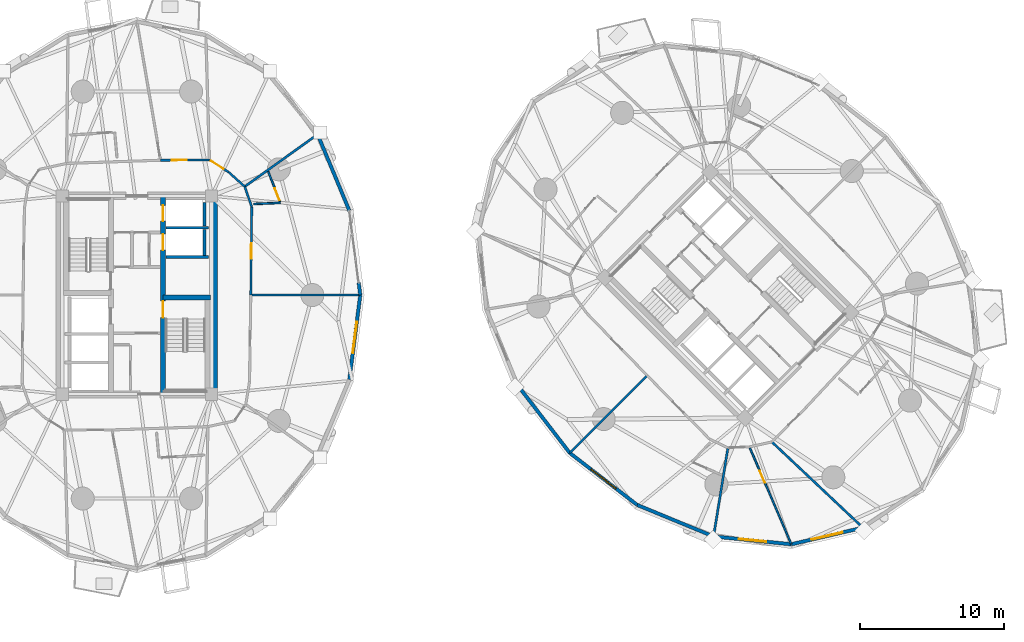
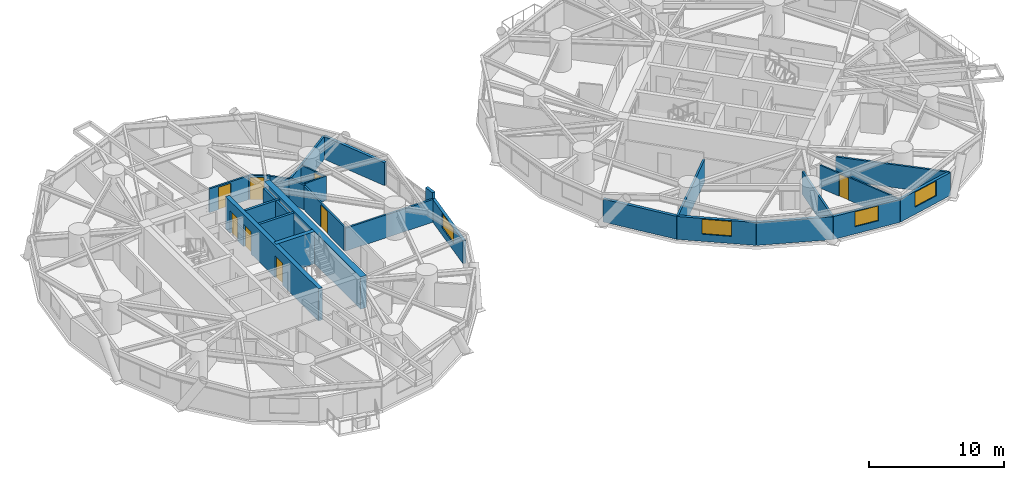
# One storey, part 12 of 19: 28 walls, 8 doors, 4 windows, 12 openings.
"""IFC4 building model written with IfcOpenShell, lengths in metres."""

from ifc_helpers import new_model, si_unit, direction, frame, frame_2d, origin, place, context, subcontext, project, spatial, rectangle, extrude, source, transform, mapped, material, layer, layer_set, type_object, element, fill, save


model = new_model("IFC4")

# Units and contexts
model_context = context("Model", 3, precision=1e-05, world=origin(), true_north=direction((0.0, 1.0)))
body_context = subcontext(model_context, "Body", "Model", "MODEL_VIEW")
ifc_project = project(units=[si_unit("LENGTHUNIT", "METRE"), si_unit("AREAUNIT", "SQUARE_METRE"), si_unit("VOLUMEUNIT", "CUBIC_METRE"), si_unit("PLANEANGLEUNIT", "RADIAN"), si_unit("MASSUNIT", "GRAM", prefix="KILO")], contexts=[model_context])

# Site, building, storey
site_placement = place(None, origin())
site = spatial("IfcSite", under=ifc_project, at=site_placement, CompositionType="ELEMENT")
building_placement = place(site_placement, origin())
building = spatial("IfcBuilding", under=site, at=building_placement, Name="Cununo Teusaquillo Station Towers", CompositionType="ELEMENT")
storey_placement = place(building_placement, frame((0.0, 0.0, 30.72998046875)))
storey = spatial("IfcBuildingStorey", under=building, at=storey_placement, Name="L08", CompositionType="ELEMENT", Elevation=30.72998046875)

# Walls
ifc_material_1 = material(Name="Concrete C50/60", Category="concrete")
ifc_layer_1 = layer(ifc_material_1, 0.199951171875)
ifc_layer_set_1 = layer_set([ifc_layer_1], Name="Concrete C50/60")
wall_type_1 = type_object("IfcWallType", Name="WL-CORE-200", PredefinedType="SHEAR", material=ifc_layer_set_1)
for number, where, z_axis, x_axis, name in (
    (1, (18.510009765625, 27.1298828125, 0.0), (0.0, 0.0, 1.0), (1.0, 0.0, 0.0), "L08 Tower A Low-Rise Lift Hoistway South Shear Wall"),
    (2, (18.510009765625, 29.175048828125, 0.0), (0.0, 0.0, 1.0), (1.0, 0.0, 0.0), "L08 Tower A Low-Rise Lift Hoistway Divider Shear Wall"),
):
    element("IfcWall", number, at=place(storey_placement, frame(where, z_axis=z_axis, x_axis=x_axis)), inside=storey, type_object=wall_type_1, Name=name, PredefinedType="SHEAR", context=body_context, shape_type="SweptSolid", body=[
        extrude(rectangle(XDim=2.969970703125, YDim=0.199951171875, at=frame_2d((1.48486328125, 0.0))), origin(), (0.0, 0.0, 1.0), 2.909912109375),
    ])
wall_1_placement = place(storey_placement, frame((21.179931640625, 27.25, 0.0), z_axis=(0.0, 0.0, 1.0), x_axis=(0.0, 1.0, 0.0)))
element("IfcWall", 3, at=wall_1_placement, inside=storey, type_object=wall_type_1, Name="L08 Tower A Low-Rise Lift 1 Shaft Rear Shear Wall", PredefinedType="SHEAR", context=body_context, shape_type="SweptSolid", body=[
    extrude(rectangle(XDim=1.804931640625, YDim=0.199951171875, at=frame_2d((0.90234375, 0.0))), origin(), (0.0, 0.0, 1.0), 2.909912109375),
])
wall_2_placement = place(storey_placement, frame((21.179931640625, 29.294921875, 0.0), z_axis=(0.0, 0.0, 1.0), x_axis=(0.0, 1.0, 0.0)))
element("IfcWall", 4, at=wall_2_placement, inside=storey, type_object=wall_type_1, Name="L08 Tower A Low-Rise Lift 2 Shaft Rear Shear Wall", PredefinedType="SHEAR", context=body_context, shape_type="SweptSolid", body=[
    extrude(rectangle(XDim=1.635009765625, YDim=0.199951171875, at=frame_2d((0.8173828125, 0.0))), origin(), (0.0, 0.0, 1.0), 2.909912109375),
])

# Wall, openings, doors
ifc_material_2 = material(Name="Concrete C50/60", Category="concrete")
ifc_layer_2 = layer(ifc_material_2, 0.35009765625)
ifc_layer_set_2 = layer_set([ifc_layer_2], Name="Concrete C50/60")
wall_type_2 = type_object("IfcWallType", Name="WL-CORE-350", PredefinedType="SHEAR", material=ifc_layer_set_2)
wall_3_placement = place(storey_placement, frame((18.31494140625, 17.60009765625, 0.0), z_axis=(0.0, 0.0, 1.0), x_axis=(0.0, 1.0, 0.0)))
wall_3 = element("IfcWall", 5, at=wall_3_placement, inside=storey, type_object=wall_type_2, Name="L08 Tower A Core Shear Wall IE", PredefinedType="SHEAR", context=body_context, shape_type="SweptSolid", body=[
    extrude(rectangle(XDim=13.7998046875, YDim=0.35009765625, at=frame_2d((6.89990234375, 0.0))), origin(), (0.0, 0.0, 1.0), 2.909912109375),
])
shared_shape_1 = source(origin(), body_context, "Body", "SweptSolid", [
    extrude(rectangle(XDim=1.10009765625, YDim=2.014892578125, at=frame_2d((0.550048828125, 1.00732421875))), frame((0.0, 0.18505859375, 0.0), z_axis=(0.0, -1.0, 0.0), x_axis=(1.0, 0.0, 0.0)), (0.0, 0.0, 1.0), 0.3701171875),
])
opening_1_placement = place(wall_3_placement, frame((10.02490234375, 0.0, 0.0)))
opening_1 = element("IfcOpeningElement", 6, at=opening_1_placement, cuts=wall_3, Name="Opening LD-01", PredefinedType="OPENING", context=body_context, shape_type="MappedRepresentation", body=[
    mapped(shared_shape_1, transform((0.0, 0.0, 0.0), x_axis=(1.0, 0.0, 0.0), y_axis=(0.0, 1.0, 0.0), z_axis=(0.0, 0.0, 1.0), scale=1.0)),
])
opening_2_placement = place(wall_3_placement, frame((12.02490234375, 0.0, 0.0)))
opening_2 = element("IfcOpeningElement", 7, at=opening_2_placement, cuts=wall_3, Name="Opening LD-01", PredefinedType="OPENING", context=body_context, shape_type="MappedRepresentation", body=[
    mapped(shared_shape_1, transform((0.0, 0.0, 0.0), x_axis=(1.0, 0.0, 0.0), y_axis=(0.0, 1.0, 0.0), z_axis=(0.0, 0.0, 1.0), scale=1.0)),
])
shared_shape_2 = source(origin(), body_context, "Body", "SweptSolid", [
    extrude(rectangle(XDim=1.14990234375, YDim=2.02001953125, at=frame_2d((0.574951171875, 1.010009765625))), frame((0.0, 0.18505859375, 0.0), z_axis=(0.0, -1.0, 0.0), x_axis=(1.0, 0.0, 0.0)), (0.0, 0.0, 1.0), 0.3701171875),
])
opening_3_placement = place(wall_3_placement, frame((5.330078125, 0.0, 0.0)))
opening_3 = element("IfcOpeningElement", 8, at=opening_3_placement, cuts=wall_3, Name="Opening D-ST1", PredefinedType="OPENING", context=body_context, shape_type="MappedRepresentation", body=[
    mapped(shared_shape_2, transform((0.0, 0.0, 0.0), x_axis=(1.0, 0.0, 0.0), y_axis=(0.0, 1.0, 0.0), z_axis=(0.0, 0.0, 1.0), scale=1.0)),
])
ifc_material_3 = material(Name="Galvanised fire-rated hollow steel door assembly", Category="steel")
door_type_1 = type_object("IfcDoorType", Name="DR-LIFT-1100", OperationType="SLIDING_TO_LEFT", PredefinedType="DOOR", material=ifc_material_3)
shared_shape_3 = source(origin(), body_context, "Body", "SweptSolid", [
    extrude(rectangle(XDim=1.10009765625, YDim=2.014892578125, at=frame_2d((0.550048828125, 1.00732421875))), frame((0.0, 0.02490234375, 0.0), z_axis=(0.0, -1.0, 0.0), x_axis=(1.0, 0.0, 0.0)), (0.0, 0.0, 1.0), 0.050048828125),
])
door_1_placement = place(opening_1_placement, origin())
door_1 = element("IfcDoor", 9, at=door_1_placement, inside=storey, type_object=door_type_1, Name="L08 Lift PL-T1-L1 Sliding Landing Door", OperationType="SLIDING_TO_RIGHT", OverallHeight=2.014892578125, OverallWidth=1.10009765625, PredefinedType="DOOR", context=body_context, shape_type="MappedRepresentation", body=[
    mapped(shared_shape_3, transform((0.0, 0.0, 0.0), x_axis=(1.0, 0.0, 0.0), y_axis=(0.0, 1.0, 0.0), z_axis=(0.0, 0.0, 1.0), scale=1.0)),
])
fill(opening_1, door_1)
door_2_placement = place(opening_2_placement, origin())
door_2 = element("IfcDoor", 10, at=door_2_placement, inside=storey, type_object=door_type_1, Name="L08 Lift PL-T1-L2 Sliding Landing Door", OperationType="SLIDING_TO_LEFT", OverallHeight=2.014892578125, OverallWidth=1.10009765625, PredefinedType="DOOR", context=body_context, shape_type="MappedRepresentation", body=[
    mapped(shared_shape_3, transform((0.0, 0.0, 0.0), x_axis=(1.0, 0.0, 0.0), y_axis=(0.0, 1.0, 0.0), z_axis=(0.0, 0.0, 1.0), scale=1.0)),
])
fill(opening_2, door_2)
ifc_material_4 = material(Name="Galvanised fire-rated hollow steel door assembly", Category="steel")
door_type_2 = type_object("IfcDoorType", Name="DR-STAIR-1150", OperationType="NOTDEFINED", PredefinedType="DOOR", material=ifc_material_4)
shared_shape_4 = source(origin(), body_context, "Body", "SweptSolid", [
    extrude(rectangle(XDim=1.14990234375, YDim=2.02001953125, at=frame_2d((0.574951171875, 1.010009765625))), frame((0.0, 0.02490234375, 0.0), z_axis=(0.0, -1.0, 0.0), x_axis=(1.0, 0.0, 0.0)), (0.0, 0.0, 1.0), 0.050048828125),
])
door_3_placement = place(opening_3_placement, origin())
door_3 = element("IfcDoor", 11, at=door_3_placement, inside=storey, type_object=door_type_2, Name="L08 Tower A Exit Stair 2 Fire Door", OperationType="SINGLE_SWING_LEFT", OverallHeight=2.02001953125, OverallWidth=1.14990234375, PredefinedType="DOOR", context=body_context, shape_type="MappedRepresentation", body=[
    mapped(shared_shape_4, transform((0.0, 0.0, 0.0), x_axis=(1.0, 0.0, 0.0), y_axis=(0.0, 1.0, 0.0), z_axis=(0.0, 0.0, 1.0), scale=1.0)),
])
fill(opening_3, door_3)

# Walls
wall_4_placement = place(storey_placement, frame((18.31494140625, 24.344970703125, 0.0), z_axis=(0.0, 0.0, 1.0), x_axis=(1.0, 0.0, 0.0)))
element("IfcWall", 12, at=wall_4_placement, inside=storey, type_object=wall_type_2, Name="L08 Tower A Core Shear Wall ST2N", PredefinedType="SHEAR", context=body_context, shape_type="SweptSolid", body=[
    extrude(rectangle(XDim=3.28515625, YDim=0.35009765625, at=frame_2d((1.642578125, 0.0))), origin(), (0.0, 0.0, 1.0), 2.909912109375),
])
ifc_material_5 = material(Name="Concrete C60/75", Category="concrete")
ifc_layer_3 = layer(ifc_material_5, 0.5)
ifc_layer_set_3 = layer_set([ifc_layer_3], Name="Concrete C60/75")
wall_type_3 = type_object("IfcWallType", Name="WL-CORE-500", PredefinedType="SHEAR", material=ifc_layer_set_3)
wall_5_placement = place(storey_placement, frame((21.85009765625, 17.35009765625, 0.0), z_axis=(0.0, 0.0, 1.0), x_axis=(0.0, 1.0, 0.0)))
element("IfcWall", 13, at=wall_5_placement, inside=storey, type_object=wall_type_3, Name="L08 Tower A Core Shear Wall E", PredefinedType="SHEAR", context=body_context, shape_type="SweptSolid", body=[
    extrude(rectangle(XDim=14.2998046875, YDim=0.5, at=frame_2d((7.14990234375, 0.0))), origin(), (0.0, 0.0, 1.0), 2.909912109375),
])
ifc_material_6 = material(Name="Precast concrete C40/50", Category="concrete")
ifc_layer_4 = layer(ifc_material_6, 0.239990234375)
ifc_layer_set_4 = layer_set([ifc_layer_4], Name="Precast concrete C40/50")
wall_type_4 = type_object("IfcWallType", Name="WL-EXT-240", PredefinedType="SOLIDWALL", material=ifc_layer_set_4)
wall_6_placement = place(storey_placement, frame((31.88720703125, 25.36279296875, 0.0), z_axis=(0.0, 0.0, 1.0), x_axis=(0.128523364007, -0.991706481225, 0.0)))
element("IfcWall", 14, at=wall_6_placement, inside=storey, type_object=wall_type_4, Name="L08 Tower A Column Pier Cladding Wall C00-PB", PredefinedType="SOLIDWALL", context=body_context, shape_type="SweptSolid", body=[
    extrude(rectangle(XDim=0.8701171875, YDim=0.239990234375, at=frame_2d((0.43505859375, 0.0))), origin(), (0.0, 0.0, 1.0), 2.635009765625),
])
wall_7_placement = place(storey_placement, frame((29.0390625, 35.650390625, 0.0), z_axis=(0.0, 0.0, 1.0), x_axis=(0.38430970593, -0.923204229804, 0.0)))
element("IfcWall", 15, at=wall_7_placement, inside=storey, type_object=wall_type_4, Name="L08 Tower A Exterior Facade Wall C01", PredefinedType="SOLIDWALL", context=body_context, shape_type="SweptSolid", body=[
    extrude(rectangle(XDim=5.728271484375, YDim=0.239990234375, at=frame_2d((2.8642578125, 0.0))), origin(), (0.0, 0.0, 1.0), 2.072998046875),
])

# Wall, opening, window
wall_8_placement = place(storey_placement, frame((31.9990234375, 24.5, 0.0), z_axis=(0.0, 0.0, 1.0), x_axis=(-0.128329107357, -0.991731637191, 0.0)))
wall_8 = element("IfcWall", 16, at=wall_8_placement, inside=storey, type_object=wall_type_4, Name="L08 Tower A Exterior Facade Wall C19", PredefinedType="SOLIDWALL", context=body_context, shape_type="SweptSolid", body=[
    extrude(rectangle(XDim=5.910888671875, YDim=0.239990234375, at=frame_2d((2.95556640625, 0.0))), origin(), (0.0, 0.0, 1.0), 2.072998046875),
])
shared_shape_5 = source(origin(), body_context, "Body", "SweptSolid", [
    extrude(rectangle(XDim=2.199951171875, YDim=1.35009765625, at=frame_2d((1.10009765625, 0.675048828125))), frame((0.0, 0.1298828125, 0.0), z_axis=(0.0, -1.0, 0.0), x_axis=(1.0, 0.0, 0.0)), (0.0, 0.0, 1.0), 0.260009765625),
])
opening_4_placement = place(wall_8_placement, frame((1.85498046875, 0.0, 0.64990234375)))
opening_4 = element("IfcOpeningElement", 17, at=opening_4_placement, cuts=wall_8, Name="Opening WN-01", PredefinedType="OPENING", context=body_context, shape_type="MappedRepresentation", body=[
    mapped(shared_shape_5, transform((0.0, 0.0, 0.0), x_axis=(1.0, 0.0, 0.0), y_axis=(0.0, 1.0, 0.0), z_axis=(0.0, 0.0, 1.0), scale=1.0)),
])
ifc_material_7 = material(Name="Ceramic-fritted dark low-E double glazing", Category="glass")
window_type_1 = type_object("IfcWindowType", Name="WIN-FRIT-2200", PartitioningType="DOUBLE_PANEL_VERTICAL", PredefinedType="WINDOW", material=ifc_material_7)
shared_shape_6 = source(origin(), body_context, "Body", "SweptSolid", [
    extrude(rectangle(XDim=2.199951171875, YDim=1.35009765625, at=frame_2d((1.10009765625, 0.675048828125))), frame((0.0, 0.030029296875, 0.0), z_axis=(0.0, -1.0, 0.0), x_axis=(1.0, 0.0, 0.0)), (0.0, 0.0, 1.0), 0.06005859375),
])
window_1_placement = place(opening_4_placement, origin())
window_1 = element("IfcWindow", 18, at=window_1_placement, inside=storey, type_object=window_type_1, Name="L08 Tower A Facade Window C19", OverallHeight=1.35009765625, OverallWidth=2.199951171875, PartitioningType="DOUBLE_PANEL_VERTICAL", PredefinedType="WINDOW", context=body_context, shape_type="MappedRepresentation", body=[
    mapped(shared_shape_6, transform((0.0, 0.0, 0.0), x_axis=(1.0, 0.0, 0.0), y_axis=(0.0, 1.0, 0.0), z_axis=(0.0, 0.0, 1.0), scale=1.0)),
])
fill(opening_4, window_1)

# Wall
wall_9_placement = place(storey_placement, frame((46.54052734375, 13.54052734375, 0.0), z_axis=(0.0, 0.0, 1.0), x_axis=(-0.610494906082, 0.792020182601, 0.0)))
element("IfcWall", 19, at=wall_9_placement, inside=storey, type_object=wall_type_4, Name="L08 Tower B Exterior Facade Wall C09", PredefinedType="SOLIDWALL", context=body_context, shape_type="SweptSolid", body=[
    extrude(rectangle(XDim=5.9111328125, YDim=0.239990234375, at=frame_2d((2.95556640625, 0.0))), origin(), (0.0, 0.0, 1.0), 2.072998046875),
])

# Wall, opening, window
wall_10_placement = place(storey_placement, frame((51.22216796875, 9.931884765625, 0.0), z_axis=(0.0, 0.0, 1.0), x_axis=(-0.792020182601, 0.610494906082, 0.0)))
wall_10 = element("IfcWall", 20, at=wall_10_placement, inside=storey, type_object=wall_type_4, Name="L08 Tower B Exterior Facade Wall C10", PredefinedType="SOLIDWALL", context=body_context, shape_type="SweptSolid", body=[
    extrude(rectangle(XDim=5.9111328125, YDim=0.239990234375, at=frame_2d((2.95556640625, 0.0))), origin(), (0.0, 0.0, 1.0), 2.072998046875),
])
opening_5_placement = place(wall_10_placement, frame((1.85498046875, 0.0, 0.64990234375)))
opening_5 = element("IfcOpeningElement", 21, at=opening_5_placement, cuts=wall_10, Name="Opening WN-01", PredefinedType="OPENING", context=body_context, shape_type="MappedRepresentation", body=[
    mapped(shared_shape_5, transform((0.0, 0.0, 0.0), x_axis=(1.0, 0.0, 0.0), y_axis=(0.0, 1.0, 0.0), z_axis=(0.0, 0.0, 1.0), scale=1.0)),
])
window_2_placement = place(opening_5_placement, origin())
window_2 = element("IfcWindow", 22, at=window_2_placement, inside=storey, type_object=window_type_1, Name="L08 Tower B Facade Window C10", OverallHeight=1.35009765625, OverallWidth=2.199951171875, PartitioningType="DOUBLE_PANEL_VERTICAL", PredefinedType="WINDOW", context=body_context, shape_type="MappedRepresentation", body=[
    mapped(shared_shape_6, transform((0.0, 0.0, 0.0), x_axis=(1.0, 0.0, 0.0), y_axis=(0.0, 1.0, 0.0), z_axis=(0.0, 0.0, 1.0), scale=1.0)),
])
fill(opening_5, window_2)

# Wall
wall_11_placement = place(storey_placement, frame((56.51806640625, 7.7490234375, 0.0), z_axis=(0.0, 0.0, 1.0), x_axis=(-0.924542988536, 0.381077764176, 0.0)))
element("IfcWall", 23, at=wall_11_placement, inside=storey, type_object=wall_type_4, Name="L08 Tower B Exterior Facade Wall C11", PredefinedType="SOLIDWALL", context=body_context, shape_type="SweptSolid", body=[
    extrude(rectangle(XDim=5.72802734375, YDim=0.239990234375, at=frame_2d((2.864013671875, 0.0))), origin(), (0.0, 0.0, 1.0), 2.072998046875),
])

# Wall, opening, window
wall_12_placement = place(storey_placement, frame((61.91015625, 7.2060546875, 0.0), z_axis=(0.0, 0.0, 1.0), x_axis=(-0.994968263437, 0.100190592135, 0.0)))
wall_12 = element("IfcWall", 24, at=wall_12_placement, inside=storey, type_object=wall_type_4, Name="L08 Tower B Exterior Facade Wall C12", PredefinedType="SOLIDWALL", context=body_context, shape_type="SweptSolid", body=[
    extrude(rectangle(XDim=5.41943359375, YDim=0.239990234375, at=frame_2d((2.709716796875, 0.0))), origin(), (0.0, 0.0, 1.0), 2.072998046875),
])
shared_shape_7 = source(origin(), body_context, "Body", "SweptSolid", [
    extrude(rectangle(XDim=1.89990234375, YDim=1.35009765625, at=frame_2d((0.949951171875, 0.675048828125))), frame((0.0, 0.1298828125, 0.0), z_axis=(0.0, -1.0, 0.0), x_axis=(1.0, 0.0, 0.0)), (0.0, 0.0, 1.0), 0.260009765625),
])
opening_6_placement = place(wall_12_placement, frame((1.760009765625, 0.0, 0.64990234375)))
opening_6 = element("IfcOpeningElement", 25, at=opening_6_placement, cuts=wall_12, Name="Opening WN-02", PredefinedType="OPENING", context=body_context, shape_type="MappedRepresentation", body=[
    mapped(shared_shape_7, transform((0.0, 0.0, 0.0), x_axis=(1.0, 0.0, 0.0), y_axis=(0.0, 1.0, 0.0), z_axis=(0.0, 0.0, 1.0), scale=1.0)),
])
ifc_material_8 = material(Name="Operable acoustic tinted low-E double glazing", Category="glass")
window_type_2 = type_object("IfcWindowType", Name="WIN-OPER-1900", PartitioningType="DOUBLE_PANEL_VERTICAL", PredefinedType="WINDOW", material=ifc_material_8)
shared_shape_8 = source(origin(), body_context, "Body", "SweptSolid", [
    extrude(rectangle(XDim=1.89990234375, YDim=1.35009765625, at=frame_2d((0.949951171875, 0.675048828125))), frame((0.0, 0.030029296875, 0.0), z_axis=(0.0, -1.0, 0.0), x_axis=(1.0, 0.0, 0.0)), (0.0, 0.0, 1.0), 0.06005859375),
])
window_3_placement = place(opening_6_placement, origin())
window_3 = element("IfcWindow", 26, at=window_3_placement, inside=storey, type_object=window_type_2, Name="L08 Tower B Facade Window C12", OverallHeight=1.35009765625, OverallWidth=1.89990234375, PartitioningType="DOUBLE_PANEL_VERTICAL", PredefinedType="WINDOW", context=body_context, shape_type="MappedRepresentation", body=[
    mapped(shared_shape_8, transform((0.0, 0.0, 0.0), x_axis=(1.0, 0.0, 0.0), y_axis=(0.0, 1.0, 0.0), z_axis=(0.0, 0.0, 1.0), scale=1.0)),
])
fill(opening_6, window_3)

wall_13_placement = place(storey_placement, frame((66.87060546875, 8.35595703125, 0.0), z_axis=(0.0, 0.0, 1.0), x_axis=(-0.974167686491, -0.22582585901, 0.0)))
wall_13 = element("IfcWall", 27, at=wall_13_placement, inside=storey, type_object=wall_type_4, Name="L08 Tower B Exterior Facade Wall C13", PredefinedType="SOLIDWALL", context=body_context, shape_type="SweptSolid", body=[
    extrude(rectangle(XDim=5.092041015625, YDim=0.239990234375, at=frame_2d((2.5458984375, 0.0))), origin(), (0.0, 0.0, 1.0), 2.072998046875),
])
opening_7_placement = place(wall_13_placement, frame((1.446044921875, 0.0, 0.64990234375)))
opening_7 = element("IfcOpeningElement", 28, at=opening_7_placement, cuts=wall_13, Name="Opening WN-01", PredefinedType="OPENING", context=body_context, shape_type="MappedRepresentation", body=[
    mapped(shared_shape_5, transform((0.0, 0.0, 0.0), x_axis=(1.0, 0.0, 0.0), y_axis=(0.0, 1.0, 0.0), z_axis=(0.0, 0.0, 1.0), scale=1.0)),
])
window_4_placement = place(opening_7_placement, origin())
window_4 = element("IfcWindow", 29, at=window_4_placement, inside=storey, type_object=window_type_1, Name="L08 Tower B Facade Window C13", OverallHeight=1.35009765625, OverallWidth=2.199951171875, PartitioningType="DOUBLE_PANEL_VERTICAL", PredefinedType="WINDOW", context=body_context, shape_type="MappedRepresentation", body=[
    mapped(shared_shape_6, transform((0.0, 0.0, 0.0), x_axis=(1.0, 0.0, 0.0), y_axis=(0.0, 1.0, 0.0), z_axis=(0.0, 0.0, 1.0), scale=1.0)),
])
fill(opening_7, window_4)

# Wall
ifc_material_9 = material(Name="Fire-rated gypsum plasterboard partition assembly", Category="gypsum")
ifc_layer_5 = layer(ifc_material_9, 0.125)
ifc_layer_set_5 = layer_set([ifc_layer_5], Name="Fire-rated gypsum plasterboard partition assembly")
wall_type_5 = type_object("IfcWallType", Name="WL-PART-125", PredefinedType="PARTITIONING", material=ifc_layer_set_5)
wall_14_placement = place(storey_placement, frame((24.595947265625, 30.8203125, 0.0), z_axis=(0.0, 0.0, 1.0), x_axis=(0.999051464703, 0.043545044208, 0.0)))
element("IfcWall", 30, at=wall_14_placement, inside=storey, type_object=wall_type_5, Name="L08 Tower A S01 En-suite Side Wall", PredefinedType="PARTITIONING", context=body_context, shape_type="SweptSolid", body=[
    extrude(rectangle(XDim=1.866943359375, YDim=0.125, at=frame_2d((0.93359375, 0.0))), origin(), (0.0, 0.0, 1.0), 2.205078125),
])

# Wall, opening, door
wall_15_placement = place(storey_placement, frame((26.435546875, 30.967529296875, 0.0), z_axis=(0.0, 0.0, 1.0), x_axis=(-0.363813993333, 0.931471619672, 0.0)))
wall_15 = element("IfcWall", 31, at=wall_15_placement, inside=storey, type_object=wall_type_5, Name="L08 Tower A S01 En-suite Back Wall", PredefinedType="PARTITIONING", context=body_context, shape_type="SweptSolid", body=[
    extrude(rectangle(XDim=2.264892578125, YDim=0.125, at=frame_2d((1.13232421875, 0.0))), origin(), (0.0, 0.0, 1.0), 2.158935546875),
])
shared_shape_9 = source(origin(), body_context, "Body", "SweptSolid", [
    extrude(rectangle(XDim=0.89990234375, YDim=2.0048828125, at=frame_2d((0.449951171875, 1.00244140625))), frame((0.0, 0.072509765625, 0.0), z_axis=(0.0, -1.0, 0.0), x_axis=(1.0, 0.0, 0.0)), (0.0, 0.0, 1.0), 0.14501953125),
])
opening_8_placement = place(wall_15_placement, frame((0.1201171875, 0.0, 0.0)))
opening_8 = element("IfcOpeningElement", 32, at=opening_8_placement, cuts=wall_15, Name="Opening D-IN1", PredefinedType="OPENING", context=body_context, shape_type="MappedRepresentation", body=[
    mapped(shared_shape_9, transform((0.0, 0.0, 0.0), x_axis=(1.0, 0.0, 0.0), y_axis=(0.0, 1.0, 0.0), z_axis=(0.0, 0.0, 1.0), scale=1.0)),
])
ifc_material_10 = material(Name="Acoustic solid-core hardwood leaf assembly", Category="wood")
door_type_3 = type_object("IfcDoorType", Name="DR-INT-900", OperationType="NOTDEFINED", PredefinedType="DOOR", material=ifc_material_10)
shared_shape_10 = source(origin(), body_context, "Body", "SweptSolid", [
    extrude(rectangle(XDim=0.89990234375, YDim=2.0048828125, at=frame_2d((0.449951171875, 1.00244140625))), frame((0.0, 0.02490234375, 0.0), z_axis=(0.0, -1.0, 0.0), x_axis=(1.0, 0.0, 0.0)), (0.0, 0.0, 1.0), 0.050048828125),
])
door_4_placement = place(opening_8_placement, origin())
door_4 = element("IfcDoor", 33, at=door_4_placement, inside=storey, type_object=door_type_3, Name="L08 Tower A S01 En-suite Bathroom Door", OperationType="SINGLE_SWING_RIGHT", OverallHeight=2.0048828125, OverallWidth=0.89990234375, PredefinedType="DOOR", context=body_context, shape_type="MappedRepresentation", body=[
    mapped(shared_shape_10, transform((0.0, 0.0, 0.0), x_axis=(1.0, 0.0, 0.0), y_axis=(0.0, 1.0, 0.0), z_axis=(0.0, 0.0, 1.0), scale=1.0)),
])
fill(opening_8, door_4)

wall_16_placement = place(storey_placement, frame((59.008056640625, 13.962890625, 0.0), z_axis=(0.0, 0.0, 1.0), x_axis=(0.395256697593, -0.918570706592, 0.0)))
wall_16 = element("IfcWall", 34, at=wall_16_placement, inside=storey, type_object=wall_type_5, Name="L08 Tower B Hotel Tea & Reading Salon Suite Subdividing Wall", PredefinedType="PARTITIONING", context=body_context, shape_type="SweptSolid", body=[
    extrude(rectangle(XDim=7.334228515625, YDim=0.125, at=frame_2d((3.6669921875, 0.0))), origin(), (0.0, 0.0, 1.0), 2.072998046875),
])
opening_9_placement = place(wall_16_placement, frame((1.800048828125, 0.0, 0.0)))
opening_9 = element("IfcOpeningElement", 35, at=opening_9_placement, cuts=wall_16, Name="Opening D-IN1", PredefinedType="OPENING", context=body_context, shape_type="MappedRepresentation", body=[
    mapped(shared_shape_9, transform((0.0, 0.0, 0.0), x_axis=(1.0, 0.0, 0.0), y_axis=(0.0, 1.0, 0.0), z_axis=(0.0, 0.0, 1.0), scale=1.0)),
])
door_5_placement = place(opening_9_placement, origin())
door_5 = element("IfcDoor", 36, at=door_5_placement, inside=storey, type_object=door_type_3, Name="L08 Tower B Hotel Tea & Reading Salon Suite Connecting Door", OperationType="SINGLE_SWING_RIGHT", OverallHeight=2.0048828125, OverallWidth=0.89990234375, PredefinedType="DOOR", context=body_context, shape_type="MappedRepresentation", body=[
    mapped(shared_shape_10, transform((0.0, 0.0, 0.0), x_axis=(1.0, 0.0, 0.0), y_axis=(0.0, 1.0, 0.0), z_axis=(0.0, 0.0, 1.0), scale=1.0)),
])
fill(opening_9, door_5)

ifc_material_11 = material(Name="Fire-rated gypsum plasterboard partition assembly", Category="gypsum")
ifc_layer_6 = layer(ifc_material_11, 0.14990234375)
ifc_layer_set_6 = layer_set([ifc_layer_6], Name="Fire-rated gypsum plasterboard partition assembly")
wall_type_6 = type_object("IfcWallType", Name="WL-PART-150", PredefinedType="PARTITIONING", material=ifc_layer_set_6)
wall_17_placement = place(storey_placement, frame((24.39990234375, 24.5, 0.0), z_axis=(0.0, 0.0, 1.0), x_axis=(0.011299841544, 0.999936154752, 0.0)))
wall_17 = element("IfcWall", 37, at=wall_17_placement, inside=storey, type_object=wall_type_6, Name="L08 Tower A Corridor Ring Wall C00", PredefinedType="PARTITIONING", context=body_context, shape_type="SweptSolid", body=[
    extrude(rectangle(XDim=6.114501953125, YDim=0.14990234375, at=frame_2d((3.05712890625, 0.0))), origin(), (0.0, 0.0, 1.0), 2.158935546875),
])
shared_shape_11 = source(origin(), body_context, "Body", "SweptSolid", [
    extrude(rectangle(XDim=1.050048828125, YDim=2.014892578125, at=frame_2d((0.52490234375, 1.00732421875))), frame((0.0, 0.0849609375, 0.0), z_axis=(0.0, -1.0, 0.0), x_axis=(1.0, 0.0, 0.0)), (0.0, 0.0, 1.0), 0.169921875),
])
opening_10_placement = place(wall_17_placement, frame((2.5322265625, 0.0, 0.0)))
opening_10 = element("IfcOpeningElement", 38, at=opening_10_placement, cuts=wall_17, Name="Opening D-SU1", PredefinedType="OPENING", context=body_context, shape_type="MappedRepresentation", body=[
    mapped(shared_shape_11, transform((0.0, 0.0, 0.0), x_axis=(1.0, 0.0, 0.0), y_axis=(0.0, 1.0, 0.0), z_axis=(0.0, 0.0, 1.0), scale=1.0)),
])
ifc_material_12 = material(Name="Acoustic solid-core hardwood leaf assembly", Category="wood")
door_type_4 = type_object("IfcDoorType", Name="DR-SUITE-1050", OperationType="NOTDEFINED", PredefinedType="DOOR", material=ifc_material_12)
shared_shape_12 = source(origin(), body_context, "Body", "SweptSolid", [
    extrude(rectangle(XDim=1.050048828125, YDim=2.014892578125, at=frame_2d((0.52490234375, 1.00732421875))), frame((0.0, 0.02490234375, 0.0), z_axis=(0.0, -1.0, 0.0), x_axis=(1.0, 0.0, 0.0)), (0.0, 0.0, 1.0), 0.050048828125),
])
door_6_placement = place(opening_10_placement, origin())
door_6 = element("IfcDoor", 39, at=door_6_placement, inside=storey, type_object=door_type_4, Name="L08 Tower A Premier Corner Hotel Suite Entrance Door", OperationType="SINGLE_SWING_LEFT", OverallHeight=2.014892578125, OverallWidth=1.050048828125, PredefinedType="DOOR", context=body_context, shape_type="MappedRepresentation", body=[
    mapped(shared_shape_12, transform((0.0, 0.0, 0.0), x_axis=(1.0, 0.0, 0.0), y_axis=(0.0, 1.0, 0.0), z_axis=(0.0, 0.0, 1.0), scale=1.0)),
])
fill(opening_10, door_6)

# Walls
wall_18_placement = place(storey_placement, frame((24.468994140625, 30.614013671875, 0.0), z_axis=(0.0, 0.0, 1.0), x_axis=(-0.327228335485, 0.944945298129, 0.0)))
element("IfcWall", 40, at=wall_18_placement, inside=storey, type_object=wall_type_6, Name="L08 Tower A Corridor Ring Wall C01", PredefinedType="PARTITIONING", context=body_context, shape_type="SweptSolid", body=[
    extrude(rectangle(XDim=1.4951171875, YDim=0.14990234375, at=frame_2d((0.74755859375, 0.0))), origin(), (0.0, 0.0, 1.0), 2.205078125),
])
wall_19_placement = place(storey_placement, frame((23.979736328125, 32.02685546875, 0.0), z_axis=(0.0, 0.0, 1.0), x_axis=(-0.742353224332, 0.670008724065, 0.0)))
element("IfcWall", 41, at=wall_19_placement, inside=storey, type_object=wall_type_6, Name="L08 Tower A Corridor Ring Wall C02", PredefinedType="PARTITIONING", context=body_context, shape_type="SweptSolid", body=[
    extrude(rectangle(XDim=1.48486328125, YDim=0.14990234375, at=frame_2d((0.742431640625, 0.0))), origin(), (0.0, 0.0, 1.0), 2.158935546875),
])

# Wall, opening, door
wall_20_placement = place(storey_placement, frame((22.87744140625, 33.021728515625, 0.0), z_axis=(0.0, 0.0, 1.0), x_axis=(-0.845895608855, 0.533348496689, 0.0)))
wall_20 = element("IfcWall", 42, at=wall_20_placement, inside=storey, type_object=wall_type_6, Name="L08 Tower A Corridor Ring Wall C03", PredefinedType="PARTITIONING", context=body_context, shape_type="SweptSolid", body=[
    extrude(rectangle(XDim=1.5966796875, YDim=0.14990234375, at=frame_2d((0.79833984375, 0.0))), origin(), (0.0, 0.0, 1.0), 2.205078125),
])
opening_11_placement = place(wall_20_placement, frame((0.4267578125, 0.0, 0.0)))
opening_11 = element("IfcOpeningElement", 43, at=opening_11_placement, cuts=wall_20, Name="Opening D-SU1", PredefinedType="OPENING", context=body_context, shape_type="MappedRepresentation", body=[
    mapped(shared_shape_11, transform((0.0, 0.0, 0.0), x_axis=(1.0, 0.0, 0.0), y_axis=(0.0, 1.0, 0.0), z_axis=(0.0, 0.0, 1.0), scale=1.0)),
])
door_7_placement = place(opening_11_placement, origin())
door_7 = element("IfcDoor", 44, at=door_7_placement, inside=storey, type_object=door_type_4, Name="L08 Tower A Hotel Club Breakfast Lounge Entrance Door", OperationType="SINGLE_SWING_LEFT", OverallHeight=2.014892578125, OverallWidth=1.050048828125, PredefinedType="DOOR", context=body_context, shape_type="MappedRepresentation", body=[
    mapped(shared_shape_12, transform((0.0, 0.0, 0.0), x_axis=(1.0, 0.0, 0.0), y_axis=(0.0, 1.0, 0.0), z_axis=(0.0, 0.0, 1.0), scale=1.0)),
])
fill(opening_11, door_7)

wall_21_placement = place(storey_placement, frame((21.52685546875, 33.873291015625, 0.0), z_axis=(0.0, 0.0, 1.0), x_axis=(-0.999991838845, -0.004040079574, 0.0)))
wall_21 = element("IfcWall", 45, at=wall_21_placement, inside=storey, type_object=wall_type_6, Name="L08 Tower A Corridor Ring Wall C04", PredefinedType="PARTITIONING", context=body_context, shape_type="SweptSolid", body=[
    extrude(rectangle(XDim=3.384033203125, YDim=0.14990234375, at=frame_2d((1.69189453125, 0.0))), origin(), (0.0, 0.0, 1.0), 2.158935546875),
])
opening_12_placement = place(wall_21_placement, frame((1.5595703125, 0.0, 0.0)))
opening_12 = element("IfcOpeningElement", 46, at=opening_12_placement, cuts=wall_21, Name="Opening D-SU1", PredefinedType="OPENING", context=body_context, shape_type="MappedRepresentation", body=[
    mapped(shared_shape_11, transform((0.0, 0.0, 0.0), x_axis=(1.0, 0.0, 0.0), y_axis=(0.0, 1.0, 0.0), z_axis=(0.0, 0.0, 1.0), scale=1.0)),
])
door_8_placement = place(opening_12_placement, origin())
door_8 = element("IfcDoor", 47, at=door_8_placement, inside=storey, type_object=door_type_4, Name="L08 Tower A Executive Corner Hotel Suite Entrance Door", OperationType="SINGLE_SWING_RIGHT", OverallHeight=2.014892578125, OverallWidth=1.050048828125, PredefinedType="DOOR", context=body_context, shape_type="MappedRepresentation", body=[
    mapped(shared_shape_12, transform((0.0, 0.0, 0.0), x_axis=(1.0, 0.0, 0.0), y_axis=(0.0, 1.0, 0.0), z_axis=(0.0, 0.0, 1.0), scale=1.0)),
])
fill(opening_12, door_8)

# Walls
ifc_material_13 = material(Name="Fire-rated gypsum plasterboard partition assembly", Category="gypsum")
ifc_layer_7 = layer(ifc_material_13, 0.159912109375)
ifc_layer_set_7 = layer_set([ifc_layer_7], Name="Fire-rated gypsum plasterboard partition assembly")
wall_type_7 = type_object("IfcWallType", Name="WL-PART-160", PredefinedType="PARTITIONING", material=ifc_layer_set_7)
wall_22_placement = place(storey_placement, frame((24.39990234375, 24.5, 0.0), z_axis=(0.0, 0.0, 1.0), x_axis=(1.0, 0.0, 0.0)))
element("IfcWall", 48, at=wall_22_placement, inside=storey, type_object=wall_type_7, Name="L08 Tower A Radial Suite Partition R01", PredefinedType="PARTITIONING", context=body_context, shape_type="SweptSolid", body=[
    extrude(rectangle(XDim=7.5791015625, YDim=0.159912109375, at=frame_2d((3.78955078125, 0.0))), origin(), (0.0, 0.0, 1.0), 2.072998046875),
])
wall_23_placement = place(storey_placement, frame((23.979736328125, 32.02685546875, 0.0), z_axis=(0.0, 0.0, 1.0), x_axis=(0.813012139255, 0.582246735864, 0.0)))
element("IfcWall", 49, at=wall_23_placement, inside=storey, type_object=wall_type_7, Name="L08 Tower A Radial Suite Partition R02", PredefinedType="PARTITIONING", context=body_context, shape_type="SweptSolid", body=[
    extrude(rectangle(XDim=6.202880859375, YDim=0.159912109375, at=frame_2d((3.1015625, 0.0))), origin(), (0.0, 0.0, 1.0), 2.072998046875),
])
wall_24_placement = place(storey_placement, frame((51.913818359375, 18.913818359375, 0.0), z_axis=(0.0, 0.0, 1.0), x_axis=(-0.707106781187, -0.707106781187, 0.0)))
element("IfcWall", 50, at=wall_24_placement, inside=storey, type_object=wall_type_7, Name="L08 Tower B Radial Suite Partition R06", PredefinedType="PARTITIONING", context=body_context, shape_type="SweptSolid", body=[
    extrude(rectangle(XDim=7.578857421875, YDim=0.159912109375, at=frame_2d((3.78955078125, 0.0))), origin(), (0.0, 0.0, 1.0), 2.072998046875),
])
wall_25_placement = place(storey_placement, frame((57.51123046875, 13.896728515625, 0.0), z_axis=(0.0, 0.0, 1.0), x_axis=(-0.159485929017, -0.987200201806, 0.0)))
element("IfcWall", 51, at=wall_25_placement, inside=storey, type_object=wall_type_7, Name="L08 Tower B Radial Suite Partition R07", PredefinedType="PARTITIONING", context=body_context, shape_type="SweptSolid", body=[
    extrude(rectangle(XDim=6.207275390625, YDim=0.159912109375, at=frame_2d((3.103515625, 0.0))), origin(), (0.0, 0.0, 1.0), 2.072998046875),
])
wall_26_placement = place(storey_placement, frame((60.5625, 14.3095703125, 0.0), z_axis=(0.0, 0.0, 1.0), x_axis=(0.727781661561, -0.685808904211, 0.0)))
element("IfcWall", 52, at=wall_26_placement, inside=storey, type_object=wall_type_7, Name="L08 Tower B Radial Suite Partition R08", PredefinedType="PARTITIONING", context=body_context, shape_type="SweptSolid", body=[
    extrude(rectangle(XDim=8.6552734375, YDim=0.159912109375, at=frame_2d((4.32763671875, 0.0))), origin(), (0.0, 0.0, 1.0), 2.072998046875),
])

save(model, "model.ifc")
